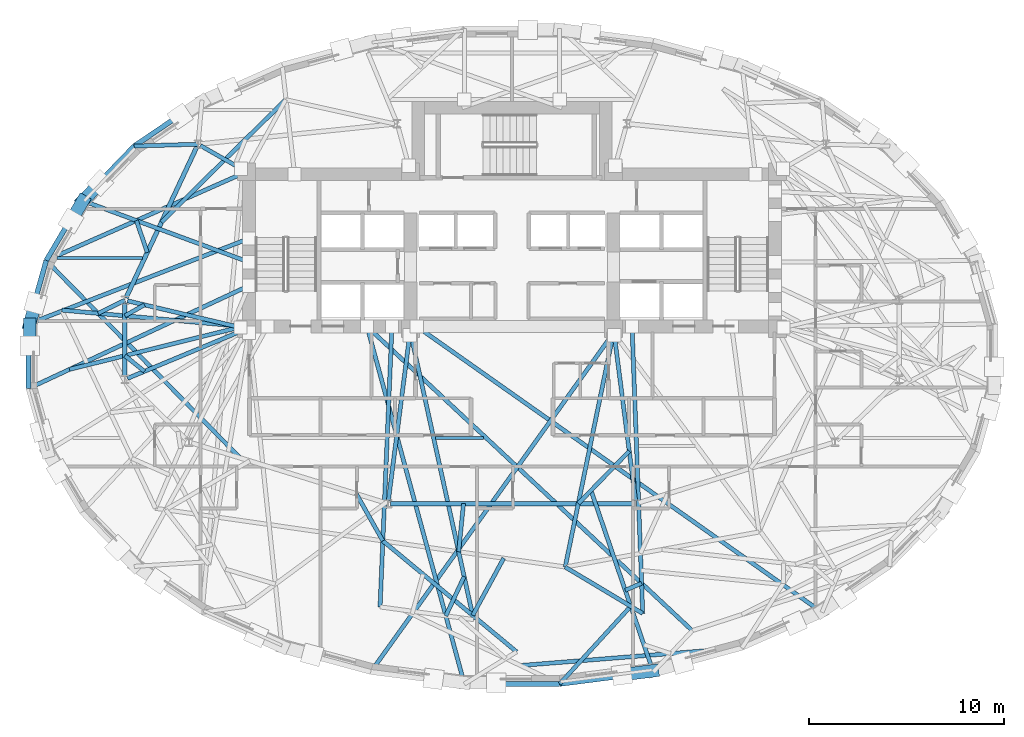
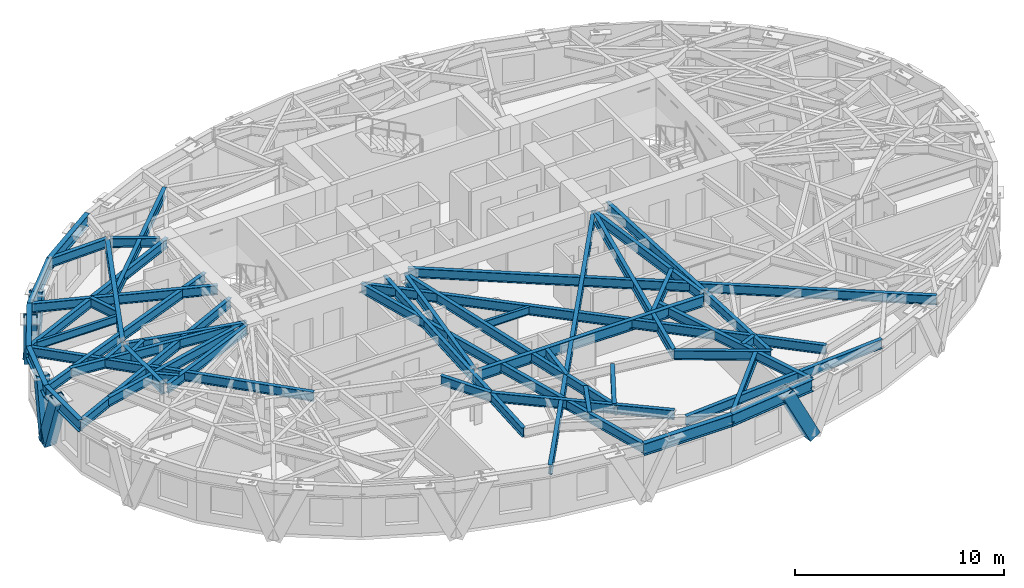
# One storey, part 2 of 15: 49 beams, 5 members.
"""IFC4 building model written with IfcOpenShell, lengths in metres."""

from ifc_helpers import new_model, si_unit, direction, frame, origin, origin_2d, place, context, subcontext, project, spatial, hollow_rectangle, i_section, extrude, material, material_profile, profile_set, type_object, element, save


model = new_model("IFC4")

# Units and contexts
model_context = context("Model", 3, precision=1e-05, world=origin(), true_north=direction((0.0, 1.0)))
body_context = subcontext(model_context, "Body", "Model", "MODEL_VIEW")
ifc_project = project(units=[si_unit("LENGTHUNIT", "METRE"), si_unit("AREAUNIT", "SQUARE_METRE"), si_unit("VOLUMEUNIT", "CUBIC_METRE"), si_unit("PLANEANGLEUNIT", "RADIAN"), si_unit("MASSUNIT", "GRAM", prefix="KILO")], contexts=[model_context])

# Site, building, storey
site_placement = place(None, origin())
site = spatial("IfcSite", under=ifc_project, at=site_placement, CompositionType="ELEMENT")
building_placement = place(site_placement, origin())
building = spatial("IfcBuilding", under=site, at=building_placement, Name="Keldmark Tower", CompositionType="ELEMENT")
storey_placement = place(building_placement, frame((0.0, 0.0, 166.199951171875)))
storey = spatial("IfcBuildingStorey", under=building, at=storey_placement, Name="L45", CompositionType="ELEMENT", Elevation=166.199951171875)

# Beams
ifc_material_1 = material(Name="Steel ASTM A992 Grade 50", Category="steel")
ifc_material_profile_1 = material_profile(ifc_material_1, i_section(OverallWidth=0.153076171875, OverallDepth=0.455078125, WebThickness=0.008056640625, FlangeThickness=0.01318359375, at=origin_2d()), Name="W18X40")
ifc_profile_set_1 = profile_set([ifc_material_profile_1], Name="Steel ASTM A992 Grade 50")
beam_type_1 = type_object("IfcBeamType", Name="Composite Floor Joist W18X40", PredefinedType="JOIST", material=ifc_profile_set_1)
beam_1_placement = place(storey_placement, frame((-3.917236328125, -4.179931640625, 2.79248046875), z_axis=(1.0, 0.0, 0.0), x_axis=(0.0, 1.0, 0.0)))
element("IfcBeam", 1, at=beam_1_placement, inside=storey, type_object=beam_type_1, Name="L45 Composite Floor Joist J03", PredefinedType="JOIST", context=body_context, shape_type="SweptSolid", body=[
    extrude(i_section(OverallWidth=0.153076171875, OverallDepth=0.455078125, WebThickness=0.008056640625, FlangeThickness=0.01318359375, at=origin_2d()), origin(), (0.0, 0.0, 1.0), 2.4501953125),
])
beam_2_placement = place(storey_placement, frame((-23.309326171875, 5.0400390625, 2.79248046875), z_axis=(1.0, 0.0, 0.0), x_axis=(0.0, 1.0, 0.0)))
element("IfcBeam", 2, at=beam_2_placement, inside=storey, type_object=beam_type_1, Name="L45 Composite Floor Joist J06", PredefinedType="JOIST", context=body_context, shape_type="SweptSolid", body=[
    extrude(i_section(OverallWidth=0.153076171875, OverallDepth=0.455078125, WebThickness=0.008056640625, FlangeThickness=0.01318359375, at=origin_2d()), origin(), (0.0, 0.0, 1.0), 4.381591796875),
])

# Members
ifc_material_2 = material(Name="Steel ASTM A572 Grade 50", Category="steel")
ifc_material_profile_2 = material_profile(ifc_material_2, hollow_rectangle(XDim=0.64990234375, YDim=0.64990234375, WallThickness=0.0400390625, at=origin_2d()), Name="BOX650X650X40")
ifc_profile_set_2 = profile_set([ifc_material_profile_2], Name="Steel ASTM A572 Grade 50")
member_type = type_object("IfcMemberType", Name="Diagrid Zone 3 Brace BOX650X650X40", PredefinedType="BRACE", material=ifc_profile_set_2)
member_1_placement = place(storey_placement, frame((-21.990478515625, 7.946533203125, -0.260009765625), z_axis=(0.262461182908, 0.271546102567, 0.925946457225), x_axis=(-0.719032546856, 0.694976400004, 0.0)))
element("IfcMember", 3, at=member_1_placement, inside=storey, type_object=member_type, Name="L45 Perimeter Diagrid Brace 07A", PredefinedType="BRACE", context=body_context, shape_type="SweptSolid", body=[
    extrude(hollow_rectangle(XDim=0.64990234375, YDim=0.64990234375, WallThickness=0.0400390625, at=origin_2d()), origin(), (0.0, 0.0, 1.0), 3.412841796875),
])
member_2_placement = place(storey_placement, frame((-21.98388671875, 7.956298828125, -0.260009765625), z_axis=(-0.17962219143, -0.303875932705, 0.93562561202), x_axis=(0.860853140724, -0.508853485894, 0.0)))
element("IfcMember", 4, at=member_2_placement, inside=storey, type_object=member_type, Name="L45 Perimeter Diagrid Brace 07B", PredefinedType="BRACE", context=body_context, shape_type="SweptSolid", body=[
    extrude(hollow_rectangle(XDim=0.64990234375, YDim=0.64990234375, WallThickness=0.0400390625, at=origin_2d()), origin(), (0.0, 0.0, 1.0), 3.377685546875),
])
member_3_placement = place(storey_placement, frame((-24.70849609375, 1.635986328125, -0.260009765625), z_axis=(0.090314947271, 0.323197970047, 0.942011827132), x_axis=(-0.963103534488, 0.269131161067, 0.0)))
element("IfcMember", 5, at=member_3_placement, inside=storey, type_object=member_type, Name="L45 Perimeter Diagrid Brace 08A", PredefinedType="BRACE", context=body_context, shape_type="SweptSolid", body=[
    extrude(hollow_rectangle(XDim=0.64990234375, YDim=0.64990234375, WallThickness=0.0400390625, at=origin_2d()), origin(), (0.0, 0.0, 1.0), 3.354736328125),
])
member_4_placement = place(storey_placement, frame((-24.706298828125, 1.647705078125, -0.260009765625), z_axis=(0.0, -0.329349470628, 0.944208094753), x_axis=(1.0, 0.0, 0.0)))
element("IfcMember", 6, at=member_4_placement, inside=storey, type_object=member_type, Name="L45 Perimeter Diagrid Brace 08B", PredefinedType="BRACE", context=body_context, shape_type="SweptSolid", body=[
    extrude(hollow_rectangle(XDim=0.64990234375, YDim=0.64990234375, WallThickness=0.0400390625, at=origin_2d()), origin(), (0.0, 0.0, 1.0), 3.346923828125),
])
member_5_placement = place(storey_placement, frame((7.23095703125, -16.112060546875, -0.260009765625), z_axis=(-0.450753018581, -0.057875311241, 0.890770545421), x_axis=(0.127351493636, -0.991857649599, 0.0)))
element("IfcMember", 7, at=member_5_placement, inside=storey, type_object=member_type, Name="L45 Perimeter Diagrid Brace 13A", PredefinedType="BRACE", context=body_context, shape_type="SweptSolid", body=[
    extrude(hollow_rectangle(XDim=0.64990234375, YDim=0.64990234375, WallThickness=0.0400390625, at=origin_2d()), origin(), (0.0, 0.0, 1.0), 3.547607421875),
])

# Beams
ifc_material_3 = material(Name="Steel ASTM A992 Grade 50", Category="steel")
ifc_material_profile_3 = material_profile(ifc_material_3, i_section(OverallWidth=0.22900390625, OverallDepth=0.612060546875, WebThickness=0.011962890625, FlangeThickness=0.01953125, at=origin_2d()), Name="W24X84")
ifc_profile_set_3 = profile_set([ifc_material_profile_3], Name="Steel ASTM A992 Grade 50")
beam_type_2 = type_object("IfcBeamType", Name="Primary Floor Girder W24X84", PredefinedType="BEAM", material=ifc_profile_set_3)
beam_3_placement = place(storey_placement, frame((-16.140869140625, 10.734130859375, 2.714111328125), z_axis=(-0.424526823774, -0.905415360979, 0.0), x_axis=(0.905415360979, -0.424526823774, 0.0)))
element("IfcBeam", 8, at=beam_3_placement, inside=storey, type_object=beam_type_2, Name="L45 Floor Ring Girder FG-R05", PredefinedType="BEAM", context=body_context, shape_type="SweptSolid", body=[
    extrude(i_section(OverallWidth=0.22900390625, OverallDepth=0.612060546875, WebThickness=0.011962890625, FlangeThickness=0.01953125, at=origin_2d()), origin(), (0.0, 0.0, 1.0), 8.54638671875),
])
beam_4_placement = place(storey_placement, frame((-19.828369140625, 2.729248046875, 2.714111328125), z_axis=(0.0, -1.0, 0.0), x_axis=(1.0, 0.0, 0.0)))
element("IfcBeam", 9, at=beam_4_placement, inside=storey, type_object=beam_type_2, Name="L45 Floor Ring Girder FG-R06", PredefinedType="BEAM", context=body_context, shape_type="SweptSolid", body=[
    extrude(i_section(OverallWidth=0.22900390625, OverallDepth=0.612060546875, WebThickness=0.011962890625, FlangeThickness=0.01953125, at=origin_2d()), origin(), (0.0, 0.0, 1.0), 3.778564453125),
])
beam_5_placement = place(storey_placement, frame((-6.211181640625, -7.546142578125, 2.714111328125), z_axis=(1.0, 0.0, 0.0), x_axis=(0.0, 1.0, 0.0)))
element("IfcBeam", 10, at=beam_5_placement, inside=storey, type_object=beam_type_2, Name="L45 Floor Ring Girder FG-R09", PredefinedType="BEAM", context=body_context, shape_type="SweptSolid", body=[
    extrude(i_section(OverallWidth=0.22900390625, OverallDepth=0.612060546875, WebThickness=0.011962890625, FlangeThickness=0.01953125, at=origin_2d()), origin(), (0.0, 0.0, 1.0), 12.42236328125),
])
ifc_material_4 = material(Name="Steel ASTM A992 Grade 50", Category="steel")
ifc_material_profile_4 = material_profile(ifc_material_4, i_section(OverallWidth=0.2099609375, OverallDepth=0.537109375, WebThickness=0.010986328125, FlangeThickness=0.017333984375, at=origin_2d()), Name="W21X68")
ifc_profile_set_4 = profile_set([ifc_material_profile_4], Name="Steel ASTM A992 Grade 50")
beam_type_3 = type_object("IfcBeamType", Name="Radial Tie Girder W21X68", PredefinedType="BEAM", material=ifc_profile_set_4)
beam_6_placement = place(storey_placement, frame((-15.959716796875, 10.791748046875, 2.75146484375), z_axis=(0.86929527307, -0.494293160197, 0.0), x_axis=(0.494293160197, 0.86929527307, 0.0)))
element("IfcBeam", 11, at=beam_6_placement, inside=storey, type_object=beam_type_3, Name="L45 Floor Radial Girder FG-C05", PredefinedType="BEAM", context=body_context, shape_type="SweptSolid", body=[
    extrude(i_section(OverallWidth=0.2099609375, OverallDepth=0.537109375, WebThickness=0.010986328125, FlangeThickness=0.017333984375, at=origin_2d()), origin(), (0.0, 0.0, 1.0), 2.39453125),
])
beam_7_placement = place(storey_placement, frame((-19.692138671875, 2.837158203125, 2.75146484375), z_axis=(0.973280062348, -0.229621253887, 0.0), x_axis=(0.229621253887, 0.973280062348, 0.0)))
element("IfcBeam", 12, at=beam_7_placement, inside=storey, type_object=beam_type_3, Name="L45 Floor Radial Girder FG-C06", PredefinedType="BEAM", context=body_context, shape_type="SweptSolid", body=[
    extrude(i_section(OverallWidth=0.2099609375, OverallDepth=0.537109375, WebThickness=0.010986328125, FlangeThickness=0.017333984375, at=origin_2d()), origin(), (0.0, 0.0, 1.0), 5.939208984375),
])
beam_8_placement = place(storey_placement, frame((-19.69921875, -1.135498046875, 2.75146484375), z_axis=(0.923393794893, 0.383854008124, 0.0), x_axis=(-0.383854008124, 0.923393794893, 0.0)))
element("IfcBeam", 13, at=beam_8_placement, inside=storey, type_object=beam_type_3, Name="L45 Floor Radial Girder FG-C07", PredefinedType="BEAM", context=body_context, shape_type="SweptSolid", body=[
    extrude(i_section(OverallWidth=0.2099609375, OverallDepth=0.537109375, WebThickness=0.010986328125, FlangeThickness=0.017333984375, at=origin_2d()), origin(), (0.0, 0.0, 1.0), 6.28515625),
])
for number, where, z_axis, x_axis, name in (
    (14, (-6.333251953125, -7.4072265625, 2.75146484375), (0.127635577416, 0.991821132754, 0.0), (-0.991821132754, 0.127635577416, 0.0), "L45 Floor Radial Girder FG-C09"),
    (15, (6.333251953125, -7.4072265625, 2.75146484375), (-0.127635577416, 0.991821132754, 0.0), (-0.991821132754, -0.127635577416, 0.0), "L45 Floor Radial Girder FG-C10"),
):
    element("IfcBeam", number, at=place(storey_placement, frame(where, z_axis=z_axis, x_axis=x_axis)), inside=storey, type_object=beam_type_3, Name=name, PredefinedType="BEAM", context=body_context, shape_type="SweptSolid", body=[
        extrude(i_section(OverallWidth=0.2099609375, OverallDepth=0.537109375, WebThickness=0.010986328125, FlangeThickness=0.017333984375, at=origin_2d()), origin(), (0.0, 0.0, 1.0), 8.559814453125),
    ])
beam_9_placement = place(storey_placement, frame((-18.82861328125, -0.773681640625, 2.75146484375), z_axis=(-0.779288200564, 0.626665700722, 0.0), x_axis=(-0.626665700722, -0.779288200564, 0.0)))
element("IfcBeam", 16, at=beam_9_placement, inside=storey, type_object=beam_type_3, Name="L45 Framing Pin Header PH-001", PredefinedType="BEAM", context=body_context, shape_type="SweptSolid", body=[
    extrude(i_section(OverallWidth=0.2099609375, OverallDepth=0.537109375, WebThickness=0.010986328125, FlangeThickness=0.017333984375, at=origin_2d()), origin(), (0.0, 0.0, 1.0), 1.282958984375),
])
beam_10_placement = place(storey_placement, frame((-13.800048828125, 1.52490234375, 2.75146484375), z_axis=(-0.970610768192, -0.240654808118, 0.0), x_axis=(0.240654808118, -0.970610768192, 0.0)))
element("IfcBeam", 17, at=beam_10_placement, inside=storey, type_object=beam_type_3, Name="L45 Sub-Ring Step Girder STP1-M07", PredefinedType="BEAM", context=body_context, shape_type="SweptSolid", body=[
    extrude(i_section(OverallWidth=0.2099609375, OverallDepth=0.537109375, WebThickness=0.010986328125, FlangeThickness=0.017333984375, at=origin_2d()), origin(), (0.0, 0.0, 1.0), 9.134521484375),
])
beam_11_placement = place(storey_placement, frame((-18.824951171875, 2.632568359375, 2.75146484375), z_axis=(-0.872650802623, -0.488344731395, 0.0), x_axis=(0.488344731395, -0.872650802623, 0.0)))
element("IfcBeam", 18, at=beam_11_placement, inside=storey, type_object=beam_type_3, Name="L45 Framing Pin Header PH-005", PredefinedType="BEAM", context=body_context, shape_type="SweptSolid", body=[
    extrude(i_section(OverallWidth=0.2099609375, OverallDepth=0.537109375, WebThickness=0.010986328125, FlangeThickness=0.017333984375, at=origin_2d()), origin(), (0.0, 0.0, 1.0), 1.14990234375),
])
beam_12_placement = place(storey_placement, frame((-13.800048828125, 1.52490234375, 2.75146484375), z_axis=(-0.995920918617, 0.090230393222, 0.0), x_axis=(-0.090230393222, -0.995920918617, 0.0)))
element("IfcBeam", 19, at=beam_12_placement, inside=storey, type_object=beam_type_3, Name="L45 Sub-Ring Step Girder STP2-M07", PredefinedType="BEAM", context=body_context, shape_type="SweptSolid", body=[
    extrude(i_section(OverallWidth=0.2099609375, OverallDepth=0.537109375, WebThickness=0.010986328125, FlangeThickness=0.017333984375, at=origin_2d()), origin(), (0.0, 0.0, 1.0), 9.299560546875),
])
beam_13_placement = place(storey_placement, frame((6.005615234375, -4.8603515625, 2.75146484375), z_axis=(-0.697030922588, -0.717041067831, 0.0), x_axis=(0.717041067831, -0.697030922588, 0.0)))
element("IfcBeam", 20, at=beam_13_placement, inside=storey, type_object=beam_type_3, Name="L45 Framing Pin Header PH-007", PredefinedType="BEAM", context=body_context, shape_type="SweptSolid", body=[
    extrude(i_section(OverallWidth=0.2099609375, OverallDepth=0.537109375, WebThickness=0.010986328125, FlangeThickness=0.017333984375, at=origin_2d()), origin(), (0.0, 0.0, 1.0), 3.74560546875),
])
beam_14_placement = place(storey_placement, frame((5.199951171875, 1.199951171875, 2.75146484375), z_axis=(-0.202145542954, -0.979355491874, 0.0), x_axis=(0.979355491874, -0.202145542954, 0.0)))
element("IfcBeam", 21, at=beam_14_placement, inside=storey, type_object=beam_type_3, Name="L45 Sub-Ring Step Girder STP2-M10", PredefinedType="BEAM", context=body_context, shape_type="SweptSolid", body=[
    extrude(i_section(OverallWidth=0.2099609375, OverallDepth=0.537109375, WebThickness=0.010986328125, FlangeThickness=0.017333984375, at=origin_2d()), origin(), (0.0, 0.0, 1.0), 12.2490234375),
])
beam_15_placement = place(storey_placement, frame((-17.954833984375, 6.864990234375, 2.75146484375), z_axis=(0.711871580228, 0.702309656251, 0.0), x_axis=(-0.702309656251, 0.711871580228, 0.0)))
element("IfcBeam", 22, at=beam_15_placement, inside=storey, type_object=beam_type_3, Name="L45 Intermediate Radial Step Girder RT-11M", PredefinedType="BEAM", context=body_context, shape_type="SweptSolid", body=[
    extrude(i_section(OverallWidth=0.2099609375, OverallDepth=0.537109375, WebThickness=0.010986328125, FlangeThickness=0.017333984375, at=origin_2d()), origin(), (0.0, 0.0, 1.0), 8.9365234375),
])
beam_16_placement = place(storey_placement, frame((-16.08154296875, 10.861083984375, 2.75146484375), z_axis=(-0.999564975012, -0.029493401444, 0.0), x_axis=(0.029493401444, -0.999564975012, 0.0)))
element("IfcBeam", 23, at=beam_16_placement, inside=storey, type_object=beam_type_3, Name="L45 Perimeter Column Bracket RT-13", PredefinedType="BEAM", context=body_context, shape_type="SweptSolid", body=[
    extrude(i_section(OverallWidth=0.2099609375, OverallDepth=0.537109375, WebThickness=0.010986328125, FlangeThickness=0.017333984375, at=origin_2d()), origin(), (0.0, 0.0, 1.0), 3.269775390625),
])
beam_17_placement = place(storey_placement, frame((-19.828369140625, 2.869140625, 2.75146484375), z_axis=(-0.896879571725, -0.44227483969, 0.0), x_axis=(0.44227483969, -0.896879571725, 0.0)))
element("IfcBeam", 24, at=beam_17_placement, inside=storey, type_object=beam_type_3, Name="L45 Framing Pin Header PH-014", PredefinedType="BEAM", context=body_context, shape_type="SweptSolid", body=[
    extrude(i_section(OverallWidth=0.2099609375, OverallDepth=0.537109375, WebThickness=0.010986328125, FlangeThickness=0.017333984375, at=origin_2d()), origin(), (0.0, 0.0, 1.0), 1.524658203125),
])
beam_18_placement = place(storey_placement, frame((-13.930908203125, -5.2060546875, 2.75146484375), z_axis=(-0.700520370679, 0.713632405559, 0.0), x_axis=(-0.713632405559, -0.700520370679, 0.0)))
element("IfcBeam", 25, at=beam_18_placement, inside=storey, type_object=beam_type_3, Name="L45 Perimeter Radial Tie Girder RT-15", PredefinedType="BEAM", context=body_context, shape_type="SweptSolid", body=[
    extrude(i_section(OverallWidth=0.2099609375, OverallDepth=0.537109375, WebThickness=0.010986328125, FlangeThickness=0.017333984375, at=origin_2d()), origin(), (0.0, 0.0, 1.0), 14.16943359375),
])
beam_19_placement = place(storey_placement, frame((-13.47509765625, 6.028564453125, 2.75146484375), z_axis=(-0.932448937032, -0.361301784977, 0.0), x_axis=(0.361301784977, -0.932448937032, 0.0)))
element("IfcBeam", 26, at=beam_19_placement, inside=storey, type_object=beam_type_3, Name="L45 Perimeter Radial Tie Girder RT-16", PredefinedType="BEAM", context=body_context, shape_type="SweptSolid", body=[
    extrude(i_section(OverallWidth=0.2099609375, OverallDepth=0.537109375, WebThickness=0.010986328125, FlangeThickness=0.017333984375, at=origin_2d()), origin(), (0.0, 0.0, 1.0), 12.10888671875),
])
beam_20_placement = place(storey_placement, frame((-13.47509765625, 3.6142578125, 2.75146484375), z_axis=(-0.906223684344, -0.422798573713, 0.0), x_axis=(0.422798573713, -0.906223684344, 0.0)))
element("IfcBeam", 27, at=beam_20_placement, inside=storey, type_object=beam_type_3, Name="L45 Perimeter Radial Tie Girder RT-17", PredefinedType="BEAM", context=body_context, shape_type="SweptSolid", body=[
    extrude(i_section(OverallWidth=0.2099609375, OverallDepth=0.537109375, WebThickness=0.010986328125, FlangeThickness=0.017333984375, at=origin_2d()), origin(), (0.0, 0.0, 1.0), 12.45947265625),
])
beam_21_placement = place(storey_placement, frame((-7.97412109375, -7.045166015625, 2.75146484375), z_axis=(0.49069663956, -0.871330481462, 0.0), x_axis=(0.871330481462, 0.49069663956, 0.0)))
element("IfcBeam", 28, at=beam_21_placement, inside=storey, type_object=beam_type_3, Name="L45 Framing Pin Header PH-021", PredefinedType="BEAM", context=body_context, shape_type="SweptSolid", body=[
    extrude(i_section(OverallWidth=0.2099609375, OverallDepth=0.537109375, WebThickness=0.010986328125, FlangeThickness=0.017333984375, at=origin_2d()), origin(), (0.0, 0.0, 1.0), 2.768310546875),
])
beam_22_placement = place(storey_placement, frame((-6.14990234375, 1.52490234375, 2.75146484375), z_axis=(-0.042370807986, -0.999101954072, 0.0), x_axis=(0.999101954072, -0.042370807986, 0.0)))
element("IfcBeam", 29, at=beam_22_placement, inside=storey, type_object=beam_type_3, Name="L45 Intermediate Radial Step Girder RT-23M", PredefinedType="BEAM", context=body_context, shape_type="SweptSolid", body=[
    extrude(i_section(OverallWidth=0.2099609375, OverallDepth=0.537109375, WebThickness=0.010986328125, FlangeThickness=0.017333984375, at=origin_2d()), origin(), (0.0, 0.0, 1.0), 14.376220703125),
])
beam_23_placement = place(storey_placement, frame((-2.484619140625, -7.546142578125, 2.75146484375), z_axis=(-0.099513464633, -0.995036215601, 0.0), x_axis=(0.995036215601, -0.099513464633, 0.0)))
element("IfcBeam", 30, at=beam_23_placement, inside=storey, type_object=beam_type_3, Name="L45 Framing Pin Header PH-022", PredefinedType="BEAM", context=body_context, shape_type="SweptSolid", body=[
    extrude(i_section(OverallWidth=0.2099609375, OverallDepth=0.537109375, WebThickness=0.010986328125, FlangeThickness=0.017333984375, at=origin_2d()), origin(), (0.0, 0.0, 1.0), 2.480224609375),
])
beam_24_placement = place(storey_placement, frame((-5.199951171875, 1.199951171875, 2.75146484375), z_axis=(0.214982849645, -0.976617824105, 0.0), x_axis=(0.976617824105, 0.214982849645, 0.0)))
element("IfcBeam", 31, at=beam_24_placement, inside=storey, type_object=beam_type_3, Name="L45 Intermediate Radial Step Girder RT-24M", PredefinedType="BEAM", context=body_context, shape_type="SweptSolid", body=[
    extrude(i_section(OverallWidth=0.2099609375, OverallDepth=0.537109375, WebThickness=0.010986328125, FlangeThickness=0.017333984375, at=origin_2d()), origin(), (0.0, 0.0, 1.0), 15.04150390625),
])
beam_25_placement = place(storey_placement, frame((-2.451416015625, -11.286376953125, 2.75146484375), z_axis=(-0.423060183444, -0.906101584363, 0.0), x_axis=(0.906101584363, -0.423060183444, 0.0)))
element("IfcBeam", 32, at=beam_25_placement, inside=storey, type_object=beam_type_3, Name="L45 Framing Pin Header PH-023", PredefinedType="BEAM", context=body_context, shape_type="SweptSolid", body=[
    extrude(i_section(OverallWidth=0.2099609375, OverallDepth=0.537109375, WebThickness=0.010986328125, FlangeThickness=0.017333984375, at=origin_2d()), origin(), (0.0, 0.0, 1.0), 2.21826171875),
])
beam_26_placement = place(storey_placement, frame((-7.425048828125, 1.52490234375, 2.75146484375), z_axis=(0.262695067336, -0.964878905147, 0.0), x_axis=(0.964878905147, 0.262695067336, 0.0)))
element("IfcBeam", 33, at=beam_26_placement, inside=storey, type_object=beam_type_3, Name="L45 Perimeter Radial Tie Girder RT-24", PredefinedType="BEAM", context=body_context, shape_type="SweptSolid", body=[
    extrude(i_section(OverallWidth=0.2099609375, OverallDepth=0.537109375, WebThickness=0.010986328125, FlangeThickness=0.017333984375, at=origin_2d()), origin(), (0.0, 0.0, 1.0), 18.9794921875),
])
beam_27_placement = place(storey_placement, frame((-0.42431640625, -10.3447265625, 2.75146484375), z_axis=(-0.477146839021, -0.878823585261, 0.0), x_axis=(0.878823585261, -0.477146839021, 0.0)))
element("IfcBeam", 34, at=beam_27_placement, inside=storey, type_object=beam_type_3, Name="L45 Framing Pin Header PH-024", PredefinedType="BEAM", context=body_context, shape_type="SweptSolid", body=[
    extrude(i_section(OverallWidth=0.2099609375, OverallDepth=0.537109375, WebThickness=0.010986328125, FlangeThickness=0.017333984375, at=origin_2d()), origin(), (0.0, 0.0, 1.0), 3.33203125),
])
beam_28_placement = place(storey_placement, frame((-6.61572265625, -9.457275390625, 2.75146484375), z_axis=(0.769788200668, -0.638299401623, 0.0), x_axis=(0.638299401623, 0.769788200668, 0.0)))
element("IfcBeam", 35, at=beam_28_placement, inside=storey, type_object=beam_type_3, Name="L45 Intermediate Radial Step Girder RT-25M", PredefinedType="BEAM", context=body_context, shape_type="SweptSolid", body=[
    extrude(i_section(OverallWidth=0.2099609375, OverallDepth=0.537109375, WebThickness=0.010986328125, FlangeThickness=0.017333984375, at=origin_2d()), origin(), (0.0, 0.0, 1.0), 8.901123046875),
])
beam_29_placement = place(storey_placement, frame((6.14990234375, 1.52490234375, 2.75146484375), z_axis=(0.037079802935, -0.999312307647, 0.0), x_axis=(0.999312307647, 0.037079802935, 0.0)))
element("IfcBeam", 36, at=beam_29_placement, inside=storey, type_object=beam_type_3, Name="L45 Intermediate Radial Step Girder RT-26M", PredefinedType="BEAM", context=body_context, shape_type="SweptSolid", body=[
    extrude(i_section(OverallWidth=0.2099609375, OverallDepth=0.537109375, WebThickness=0.010986328125, FlangeThickness=0.017333984375, at=origin_2d()), origin(), (0.0, 0.0, 1.0), 14.708984375),
])
beam_30_placement = place(storey_placement, frame((2.723876953125, -10.796142578125, 2.75146484375), z_axis=(0.857962596816, -0.513712159156, 0.0), x_axis=(0.513712159156, 0.857962596816, 0.0)))
element("IfcBeam", 37, at=beam_30_placement, inside=storey, type_object=beam_type_3, Name="L45 Local Collector Chord RT-26C", PredefinedType="BEAM", context=body_context, shape_type="SweptSolid", body=[
    extrude(i_section(OverallWidth=0.2099609375, OverallDepth=0.537109375, WebThickness=0.010986328125, FlangeThickness=0.017333984375, at=origin_2d()), origin(), (0.0, 0.0, 1.0), 4.62890625),
])
beam_31_placement = place(storey_placement, frame((2.439208984375, -16.7880859375, 2.75146484375), z_axis=(0.675130301836, 0.737698499078, 0.0), x_axis=(-0.737698499078, 0.675130301836, 0.0)))
element("IfcBeam", 38, at=beam_31_placement, inside=storey, type_object=beam_type_3, Name="L45 Framing Pin Header PH-027", PredefinedType="BEAM", context=body_context, shape_type="SweptSolid", body=[
    extrude(i_section(OverallWidth=0.2099609375, OverallDepth=0.537109375, WebThickness=0.010986328125, FlangeThickness=0.017333984375, at=origin_2d()), origin(), (0.0, 0.0, 1.0), 5.396484375),
])
beam_32_placement = place(storey_placement, frame((4.04736328125, -6.87451171875, 2.75146484375), z_axis=(0.324486883969, -0.9458901956, 0.0), x_axis=(0.9458901956, 0.324486883969, 0.0)))
element("IfcBeam", 39, at=beam_32_placement, inside=storey, type_object=beam_type_3, Name="L45 Perimeter Radial Tie Girder RT-26", PredefinedType="BEAM", context=body_context, shape_type="SweptSolid", body=[
    extrude(i_section(OverallWidth=0.2099609375, OverallDepth=0.537109375, WebThickness=0.010986328125, FlangeThickness=0.017333984375, at=origin_2d()), origin(), (0.0, 0.0, 1.0), 9.8291015625),
])
beam_33_placement = place(storey_placement, frame((5.801513671875, -11.988037109375, 2.75146484375), z_axis=(0.917516539178, 0.39769762425, 0.0), x_axis=(-0.39769762425, 0.917516539178, 0.0)))
element("IfcBeam", 40, at=beam_33_placement, inside=storey, type_object=beam_type_3, Name="L45 Framing Pin Header PH-028", PredefinedType="BEAM", context=body_context, shape_type="SweptSolid", body=[
    extrude(i_section(OverallWidth=0.2099609375, OverallDepth=0.537109375, WebThickness=0.010986328125, FlangeThickness=0.017333984375, at=origin_2d()), origin(), (0.0, 0.0, 1.0), 0.91162109375),
])
beam_34_placement = place(storey_placement, frame((-7.425048828125, 1.52490234375, 2.75146484375), z_axis=(0.730404363647, -0.683014981948, 0.0), x_axis=(0.683014981948, 0.730404363647, 0.0)))
element("IfcBeam", 41, at=beam_34_placement, inside=storey, type_object=beam_type_3, Name="L45 Intermediate Radial Step Girder RT-27M", PredefinedType="BEAM", context=body_context, shape_type="SweptSolid", body=[
    extrude(i_section(OverallWidth=0.2099609375, OverallDepth=0.537109375, WebThickness=0.010986328125, FlangeThickness=0.017333984375, at=origin_2d()), origin(), (0.0, 0.0, 1.0), 22.812255859375),
])
beam_35_placement = place(storey_placement, frame((0.439208984375, -15.84130859375, 2.75146484375), z_axis=(0.996842108997, 0.079409128755, 0.0), x_axis=(-0.079409128755, 0.996842108997, 0.0)))
element("IfcBeam", 42, at=beam_35_placement, inside=storey, type_object=beam_type_3, Name="L45 Perimeter Radial Tie Girder RT-27", PredefinedType="BEAM", context=body_context, shape_type="SweptSolid", body=[
    extrude(i_section(OverallWidth=0.2099609375, OverallDepth=0.537109375, WebThickness=0.010986328125, FlangeThickness=0.017333984375, at=origin_2d()), origin(), (0.0, 0.0, 1.0), 11.37548828125),
])
beam_36_placement = place(storey_placement, frame((-4.875, 1.52490234375, 2.75146484375), z_axis=(0.817132986975, -0.576449201229, 0.0), x_axis=(0.576449201229, 0.817132986975, 0.0)))
element("IfcBeam", 43, at=beam_36_placement, inside=storey, type_object=beam_type_3, Name="L45 Perimeter Radial Tie Girder RT-28", PredefinedType="BEAM", context=body_context, shape_type="SweptSolid", body=[
    extrude(i_section(OverallWidth=0.2099609375, OverallDepth=0.537109375, WebThickness=0.010986328125, FlangeThickness=0.017333984375, at=origin_2d()), origin(), (0.0, 0.0, 1.0), 25.399658203125),
])
beam_37_placement = place(storey_placement, frame((-13.60009765625, 9.449951171875, 2.75146484375), z_axis=(-0.914287451724, -0.405065989216, 0.0), x_axis=(0.405065989216, -0.914287451724, 0.0)))
element("IfcBeam", 44, at=beam_37_placement, inside=storey, type_object=beam_type_3, Name="L45 Straddling Support Chord RT-14RB", PredefinedType="BEAM", context=body_context, shape_type="SweptSolid", body=[
    extrude(i_section(OverallWidth=0.2099609375, OverallDepth=0.537109375, WebThickness=0.010986328125, FlangeThickness=0.017333984375, at=origin_2d()), origin(), (0.0, 0.0, 1.0), 11.218505859375),
])
beam_38_placement = place(storey_placement, frame((-18.6806640625, 5.3173828125, 2.75146484375), z_axis=(-0.323850853624, 0.946108146359, 0.0), x_axis=(-0.946108146359, -0.323850853624, 0.0)))
element("IfcBeam", 45, at=beam_38_placement, inside=storey, type_object=beam_type_3, Name="L45 Framing Pin Header PH-039", PredefinedType="BEAM", context=body_context, shape_type="SweptSolid", body=[
    extrude(i_section(OverallWidth=0.2099609375, OverallDepth=0.537109375, WebThickness=0.010986328125, FlangeThickness=0.017333984375, at=origin_2d()), origin(), (0.0, 0.0, 1.0), 1.72705078125),
])
beam_39_placement = place(storey_placement, frame((-13.47509765625, 4.8212890625, 2.75146484375), z_axis=(-0.938023045306, 0.346572887679, 0.0), x_axis=(-0.346572887679, -0.938023045306, 0.0)))
element("IfcBeam", 46, at=beam_39_placement, inside=storey, type_object=beam_type_3, Name="L45 Perimeter Radial Tie Girder RT-14R", PredefinedType="BEAM", context=body_context, shape_type="SweptSolid", body=[
    extrude(i_section(OverallWidth=0.2099609375, OverallDepth=0.537109375, WebThickness=0.010986328125, FlangeThickness=0.017333984375, at=origin_2d()), origin(), (0.0, 0.0, 1.0), 9.12744140625),
])
beam_40_placement = place(storey_placement, frame((5.199951171875, 1.199951171875, 2.75146484375), z_axis=(-0.582115591998, -0.813106043239, 0.0), x_axis=(0.813106043239, -0.582115591998, 0.0)))
element("IfcBeam", 47, at=beam_40_placement, inside=storey, type_object=beam_type_3, Name="L45 Perimeter Radial Tie Girder RT-23R", PredefinedType="BEAM", context=body_context, shape_type="SweptSolid", body=[
    extrude(i_section(OverallWidth=0.2099609375, OverallDepth=0.537109375, WebThickness=0.010986328125, FlangeThickness=0.017333984375, at=origin_2d()), origin(), (0.0, 0.0, 1.0), 21.36474609375),
])
ifc_material_5 = material(Name="Steel ASTM A992 Grade 50", Category="steel")
ifc_material_profile_5 = material_profile(ifc_material_5, i_section(OverallWidth=0.256103515625, OverallDepth=0.693115234375, WebThickness=0.014404296875, FlangeThickness=0.023681640625, at=origin_2d()), Name="W27X114")
ifc_profile_set_5 = profile_set([ifc_material_profile_5], Name="Steel ASTM A992 Grade 50")
beam_type_4 = type_object("IfcBeamType", Name="Spandrel Ring Beam W27X114", PredefinedType="SPANDREL", material=ifc_profile_set_5)
beam_41_placement = place(storey_placement, frame((-15.8798828125, 13.11669921875, 2.673583984375), z_axis=(-0.827760762475, -0.561081206338, 0.0), x_axis=(0.561081206338, -0.827760762475, 0.0)))
element("IfcBeam", 48, at=beam_41_placement, inside=storey, type_object=beam_type_4, Name="L45 Perimeter Spandrel Ring Beam SRB-12", PredefinedType="SPANDREL", context=body_context, shape_type="SweptSolid", body=[
    extrude(i_section(OverallWidth=0.256103515625, OverallDepth=0.693115234375, WebThickness=0.014404296875, FlangeThickness=0.023681640625, at=origin_2d()), origin(), (0.0, 0.0, 1.0), 4.19189453125),
])
beam_42_placement = place(storey_placement, frame((-19.349853515625, 10.7646484375, 2.673583984375), z_axis=(-0.694975307772, -0.719033602544, 0.0), x_axis=(0.719033602544, -0.694975307772, 0.0)))
element("IfcBeam", 49, at=beam_42_placement, inside=storey, type_object=beam_type_4, Name="L45 Perimeter Spandrel Ring Beam SRB-13", PredefinedType="SPANDREL", context=body_context, shape_type="SweptSolid", body=[
    extrude(i_section(OverallWidth=0.256103515625, OverallDepth=0.693115234375, WebThickness=0.014404296875, FlangeThickness=0.023681640625, at=origin_2d()), origin(), (0.0, 0.0, 1.0), 3.866455078125),
])
beam_43_placement = place(storey_placement, frame((-22.036865234375, 7.984619140625, 2.673583984375), z_axis=(-0.508883387051, -0.860835465338, 0.0), x_axis=(0.860835465338, -0.508883387051, 0.0)))
element("IfcBeam", 50, at=beam_43_placement, inside=storey, type_object=beam_type_4, Name="L45 Perimeter Spandrel Ring Beam SRB-14", PredefinedType="SPANDREL", context=body_context, shape_type="SweptSolid", body=[
    extrude(i_section(OverallWidth=0.256103515625, OverallDepth=0.693115234375, WebThickness=0.014404296875, FlangeThickness=0.023681640625, at=origin_2d()), origin(), (0.0, 0.0, 1.0), 3.57666015625),
])
beam_44_placement = place(storey_placement, frame((-23.85693359375, 4.90576171875, 2.673583984375), z_axis=(-0.269235699479, -0.963074315993, 0.0), x_axis=(0.963074315993, -0.269235699479, 0.0)))
element("IfcBeam", 51, at=beam_44_placement, inside=storey, type_object=beam_type_4, Name="L45 Perimeter Spandrel Ring Beam SRB-15", PredefinedType="SPANDREL", context=body_context, shape_type="SweptSolid", body=[
    extrude(i_section(OverallWidth=0.256103515625, OverallDepth=0.693115234375, WebThickness=0.014404296875, FlangeThickness=0.023681640625, at=origin_2d()), origin(), (0.0, 0.0, 1.0), 3.376953125),
])
beam_45_placement = place(storey_placement, frame((-24.76611328125, 1.653564453125, 2.673583984375), z_axis=(0.0, -1.0, 0.0), x_axis=(1.0, 0.0, 0.0)))
element("IfcBeam", 52, at=beam_45_placement, inside=storey, type_object=beam_type_4, Name="L45 Perimeter Spandrel Ring Beam SRB-16", PredefinedType="SPANDREL", context=body_context, shape_type="SweptSolid", body=[
    extrude(i_section(OverallWidth=0.256103515625, OverallDepth=0.693115234375, WebThickness=0.014404296875, FlangeThickness=0.023681640625, at=origin_2d()), origin(), (0.0, 0.0, 1.0), 3.30712890625),
])
beam_46_placement = place(storey_placement, frame((-2.439208984375, -16.7880859375, 2.673583984375), z_axis=(1.0, 0.0, 0.0), x_axis=(0.0, 1.0, 0.0)))
element("IfcBeam", 53, at=beam_46_placement, inside=storey, type_object=beam_type_4, Name="L45 Perimeter Spandrel Ring Beam SRB-24", PredefinedType="SPANDREL", context=body_context, shape_type="SweptSolid", body=[
    extrude(i_section(OverallWidth=0.256103515625, OverallDepth=0.693115234375, WebThickness=0.014404296875, FlangeThickness=0.023681640625, at=origin_2d()), origin(), (0.0, 0.0, 1.0), 4.87841796875),
])
beam_47_placement = place(storey_placement, frame((2.439208984375, -16.7880859375, 2.673583984375), z_axis=(0.991852091732, 0.127394772761, 0.0), x_axis=(-0.127394772761, 0.991852091732, 0.0)))
element("IfcBeam", 54, at=beam_47_placement, inside=storey, type_object=beam_type_4, Name="L45 Perimeter Spandrel Ring Beam SRB-25", PredefinedType="SPANDREL", context=body_context, shape_type="SweptSolid", body=[
    extrude(i_section(OverallWidth=0.256103515625, OverallDepth=0.693115234375, WebThickness=0.014404296875, FlangeThickness=0.023681640625, at=origin_2d()), origin(), (0.0, 0.0, 1.0), 4.8369140625),
])

save(model, "model.ifc")
